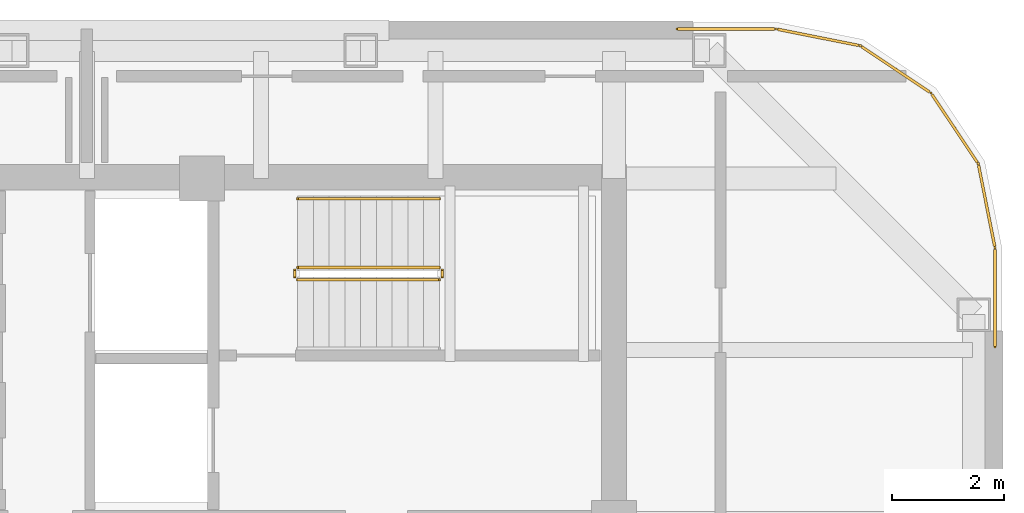
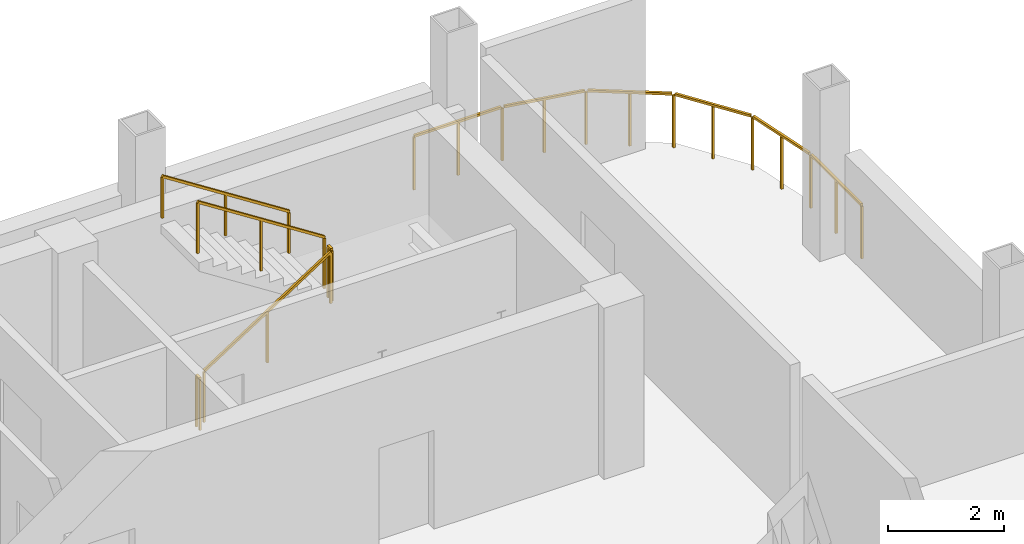
# One storey, part 7 of 7: 6 railings.
"""IFC4 building model written with IfcOpenShell, lengths in metres."""

from ifc_helpers import new_model, si_unit, direction, frame, origin, origin_2d, place, context, subcontext, project, spatial, rectangle, extrude, material, type_object, element, save


model = new_model("IFC4")

# Units and contexts
model_context = context("Model", 3, precision=1e-05, world=origin(), true_north=direction((0.0, 1.0)))
body_context = subcontext(model_context, "Body", "Model", "MODEL_VIEW")
ifc_project = project(units=[si_unit("LENGTHUNIT", "METRE"), si_unit("AREAUNIT", "SQUARE_METRE"), si_unit("VOLUMEUNIT", "CUBIC_METRE"), si_unit("PLANEANGLEUNIT", "RADIAN"), si_unit("MASSUNIT", "GRAM", prefix="KILO")], contexts=[model_context])

# Site, building, storey
site_placement = place(None, origin())
site = spatial("IfcSite", under=ifc_project, at=site_placement, CompositionType="ELEMENT")
building_placement = place(site_placement, origin())
building = spatial("IfcBuilding", under=site, at=building_placement, Name="Qhalaya Broadcast Tower", CompositionType="ELEMENT")
storey_placement = place(building_placement, frame((0.0, 0.0, 234.89990234375)))
storey = spatial("IfcBuildingStorey", under=building, at=storey_placement, Name="L69", CompositionType="ELEMENT", Elevation=234.89990234375)

# Railings
ifc_material = material(Name="Powder-Coated Galvanised Steel", Category="steel")
railing_type_1 = type_object("IfcRailingType", Name="Stair Wall Handrail 900", PredefinedType="HANDRAIL", material=ifc_material)
railing_1_placement = place(storey_placement, frame((6.27001953125, 9.590087890625, 1.97998046875)))
element("IfcRailing", 1, at=railing_1_placement, inside=storey, type_object=railing_type_1, Name="L69 ST-1 Stair Handrail 2", PredefinedType="HANDRAIL", context=body_context, shape_type="SweptSolid", body=[
    extrude(rectangle(XDim=0.048095703125, YDim=0.048095703125, at=origin_2d()), frame((0.0, 0.0, 0.8759765625), z_axis=(-0.841162588446, 0.0, 0.540782303519), x_axis=(0.0, -1.0, 0.0)), (0.0, 0.0, 1.0), 2.995849609375),
    extrude(rectangle(XDim=0.0419921875, YDim=0.0419921875, at=origin_2d()), origin(), (0.0, 0.0, 1.0), 0.849853515625),
    extrude(rectangle(XDim=0.0419921875, YDim=0.0419921875, at=origin_2d()), frame((-1.260009765625, 0.0, 0.81005859375)), (0.0, 0.0, 1.0), 0.849853515625),
    extrude(rectangle(XDim=0.0419921875, YDim=0.0419921875, at=origin_2d()), frame((-2.52001953125, 0.0, 1.6201171875)), (0.0, 0.0, 1.0), 0.849853515625),
])
railing_type_2 = type_object("IfcRailingType", Name="Stair Well & Landing Guardrail 1100", PredefinedType="GUARDRAIL", material=ifc_material)
railing_2_placement = place(storey_placement, frame((3.75, 8.14990234375, 0.18017578125)))
element("IfcRailing", 2, at=railing_2_placement, inside=storey, type_object=railing_type_2, Name="L69 ST-1 Stair Guard 1", PredefinedType="GUARDRAIL", context=body_context, shape_type="SweptSolid", body=[
    extrude(rectangle(XDim=0.048095703125, YDim=0.048095703125, at=origin_2d()), frame((0.0, 0.0, 1.076171875), z_axis=(0.841199657755, 0.0, 0.540724639528), x_axis=(0.0, 1.0, 0.0)), (0.0, 0.0, 1.0), 2.995849609375),
    extrude(rectangle(XDim=0.0419921875, YDim=0.0419921875, at=origin_2d()), origin(), (0.0, 0.0, 1.0), 1.050048828125),
    extrude(rectangle(XDim=0.0419921875, YDim=0.0419921875, at=origin_2d()), frame((1.260009765625, 0.0, 0.81005859375)), (0.0, 0.0, 1.0), 1.050048828125),
    extrude(rectangle(XDim=0.0419921875, YDim=0.0419921875, at=origin_2d()), frame((2.52001953125, 0.0, 1.619873046875)), (0.0, 0.0, 1.0), 1.050048828125),
])
railing_3_placement = place(storey_placement, frame((6.320068359375, 8.199951171875, 1.800048828125)))
element("IfcRailing", 3, at=railing_3_placement, inside=storey, type_object=railing_type_2, Name="L69 ST-1 Stair Guard 2", PredefinedType="GUARDRAIL", context=body_context, shape_type="SweptSolid", body=[
    extrude(rectangle(XDim=0.048095703125, YDim=0.048095703125, at=origin_2d()), frame((0.0, 0.0, 1.076171875), z_axis=(0.0, 1.0, 0.0), x_axis=(-1.0, 0.0, 0.0)), (0.0, 0.0, 1.0), 0.1201171875),
    extrude(rectangle(XDim=0.0419921875, YDim=0.0419921875, at=origin_2d()), origin(), (0.0, 0.0, 1.0), 1.050048828125),
    extrude(rectangle(XDim=0.0419921875, YDim=0.0419921875, at=origin_2d()), frame((0.0, 0.1201171875, 0.0)), (0.0, 0.0, 1.0), 1.050048828125),
])
railing_4_placement = place(storey_placement, frame((6.27001953125, 8.3701171875, 1.97998046875)))
element("IfcRailing", 4, at=railing_4_placement, inside=storey, type_object=railing_type_2, Name="L69 ST-1 Stair Guard 3", PredefinedType="GUARDRAIL", context=body_context, shape_type="SweptSolid", body=[
    extrude(rectangle(XDim=0.048095703125, YDim=0.048095703125, at=origin_2d()), frame((0.0, 0.0, 1.076171875), z_axis=(-0.841162588446, 0.0, 0.540782303519), x_axis=(0.0, -1.0, 0.0)), (0.0, 0.0, 1.0), 2.995849609375),
    extrude(rectangle(XDim=0.0419921875, YDim=0.0419921875, at=origin_2d()), origin(), (0.0, 0.0, 1.0), 1.050048828125),
    extrude(rectangle(XDim=0.0419921875, YDim=0.0419921875, at=origin_2d()), frame((-1.260009765625, 0.0, 0.81005859375)), (0.0, 0.0, 1.0), 1.050048828125),
    extrude(rectangle(XDim=0.0419921875, YDim=0.0419921875, at=origin_2d()), frame((-2.52001953125, 0.0, 1.6201171875)), (0.0, 0.0, 1.0), 1.050048828125),
])
railing_5_placement = place(storey_placement, frame((3.699951171875, 8.199951171875, 0.0)))
element("IfcRailing", 5, at=railing_5_placement, inside=storey, type_object=railing_type_2, Name="L69 ST-1 Stair Guard 4", PredefinedType="GUARDRAIL", context=body_context, shape_type="SweptSolid", body=[
    extrude(rectangle(XDim=0.048095703125, YDim=0.048095703125, at=origin_2d()), frame((0.0, 0.0, 1.076171875), z_axis=(0.0, 1.0, 0.0), x_axis=(-1.0, 0.0, 0.0)), (0.0, 0.0, 1.0), 0.1201171875),
    extrude(rectangle(XDim=0.0419921875, YDim=0.0419921875, at=origin_2d()), origin(), (0.0, 0.0, 1.0), 1.050048828125),
    extrude(rectangle(XDim=0.0419921875, YDim=0.0419921875, at=origin_2d()), frame((0.0, 0.1201171875, 0.0)), (0.0, 0.0, 1.0), 1.050048828125),
])
railing_type_3 = type_object("IfcRailingType", Name="Terrace, Sky-Pool & Lookout Glass Balustrade 1150", PredefinedType="BALUSTRADE", material=ifc_material)
railing_6_placement = place(storey_placement, frame((10.501953125, 12.610107421875, 0.0)))
element("IfcRailing", 6, at=railing_6_placement, inside=storey, type_object=railing_type_3, Name="L69 Rounded Corner Perimeter Guard 04", PredefinedType="BALUSTRADE", context=body_context, shape_type="SweptSolid", body=[
    extrude(rectangle(XDim=0.048095703125, YDim=0.048095703125, at=origin_2d()), frame((0.0, 0.0, 1.1259765625), z_axis=(1.0, 0.0, 0.0), x_axis=(0.0, 1.0, 0.0)), (0.0, 0.0, 1.0), 1.7275390625),
    extrude(rectangle(XDim=0.048095703125, YDim=0.048095703125, at=origin_2d()), frame((1.78466796875, -0.005615234375, 1.1259765625), z_axis=(0.980771099361, -0.195161601391, 0.0), x_axis=(0.195161601391, 0.980771099361, 0.0)), (0.0, 0.0, 1.0), 1.46728515625),
    extrude(rectangle(XDim=0.048095703125, YDim=0.048095703125, at=origin_2d()), frame((3.27587890625, -0.313720703125, 1.1259765625), z_axis=(0.83147889372, -0.555556342146, 0.0), x_axis=(0.555556342146, 0.83147889372, 0.0)), (0.0, 0.0, 1.0), 1.455322265625),
    extrude(rectangle(XDim=0.048095703125, YDim=0.048095703125, at=origin_2d()), frame((4.526123046875, -1.162109375, 1.1259765625), z_axis=(0.555556342146, -0.83147889372, 0.0), x_axis=(0.83147889372, 0.555556342146, 0.0)), (0.0, 0.0, 1.0), 1.455322265625),
    extrude(rectangle(XDim=0.048095703125, YDim=0.048095703125, at=origin_2d()), frame((5.356201171875, -2.424560546875, 1.1259765625), z_axis=(0.195007592307, -0.980801732738, 0.0), x_axis=(0.980801732738, 0.195007592307, 0.0)), (0.0, 0.0, 1.0), 1.46728515625),
    extrude(rectangle(XDim=0.048095703125, YDim=0.048095703125, at=origin_2d()), frame((5.64794921875, -3.920654296875, 1.1259765625), z_axis=(0.0, -1.0, 0.0), x_axis=(1.0, 0.0, 0.0)), (0.0, 0.0, 1.0), 1.7275390625),
    extrude(rectangle(XDim=0.0419921875, YDim=0.0419921875, at=origin_2d()), origin(), (0.0, 0.0, 1.0), 1.099853515625),
    extrude(rectangle(XDim=0.0419921875, YDim=0.0419921875, at=origin_2d()), frame((0.878173828125, 0.0, 0.0)), (0.0, 0.0, 1.0), 1.099853515625),
    extrude(rectangle(XDim=0.0419921875, YDim=0.0419921875, at=origin_2d()), frame((1.75634765625, 0.0, 0.0)), (0.0, 0.0, 1.0), 1.099853515625),
    extrude(rectangle(XDim=0.0419921875, YDim=0.0419921875, at=origin_2d()), frame((2.504150390625, -0.14892578125, 0.0)), (0.0, 0.0, 1.0), 1.099853515625),
    extrude(rectangle(XDim=0.0419921875, YDim=0.0419921875, at=origin_2d()), frame((3.251953125, -0.297607421875, 0.0)), (0.0, 0.0, 1.0), 1.099853515625),
    extrude(rectangle(XDim=0.0419921875, YDim=0.0419921875, at=origin_2d()), frame((3.880859375, -0.7177734375, 0.0)), (0.0, 0.0, 1.0), 1.099853515625),
    extrude(rectangle(XDim=0.0419921875, YDim=0.0419921875, at=origin_2d()), frame((4.510009765625, -1.13818359375, 0.0)), (0.0, 0.0, 1.0), 1.099853515625),
    extrude(rectangle(XDim=0.0419921875, YDim=0.0419921875, at=origin_2d()), frame((4.93017578125, -1.76708984375, 0.0)), (0.0, 0.0, 1.0), 1.099853515625),
    extrude(rectangle(XDim=0.0419921875, YDim=0.0419921875, at=origin_2d()), frame((5.3505859375, -2.396240234375, 0.0)), (0.0, 0.0, 1.0), 1.099853515625),
    extrude(rectangle(XDim=0.0419921875, YDim=0.0419921875, at=origin_2d()), frame((5.499267578125, -3.14404296875, 0.0)), (0.0, 0.0, 1.0), 1.099853515625),
    extrude(rectangle(XDim=0.0419921875, YDim=0.0419921875, at=origin_2d()), frame((5.64794921875, -3.891845703125, 0.0)), (0.0, 0.0, 1.0), 1.099853515625),
    extrude(rectangle(XDim=0.0419921875, YDim=0.0419921875, at=origin_2d()), frame((5.64794921875, -4.77001953125, 0.0)), (0.0, 0.0, 1.0), 1.099853515625),
    extrude(rectangle(XDim=0.0419921875, YDim=0.0419921875, at=origin_2d()), frame((5.64794921875, -5.648193359375, 0.0)), (0.0, 0.0, 1.0), 1.099853515625),
])

save(model, "model.ifc")
